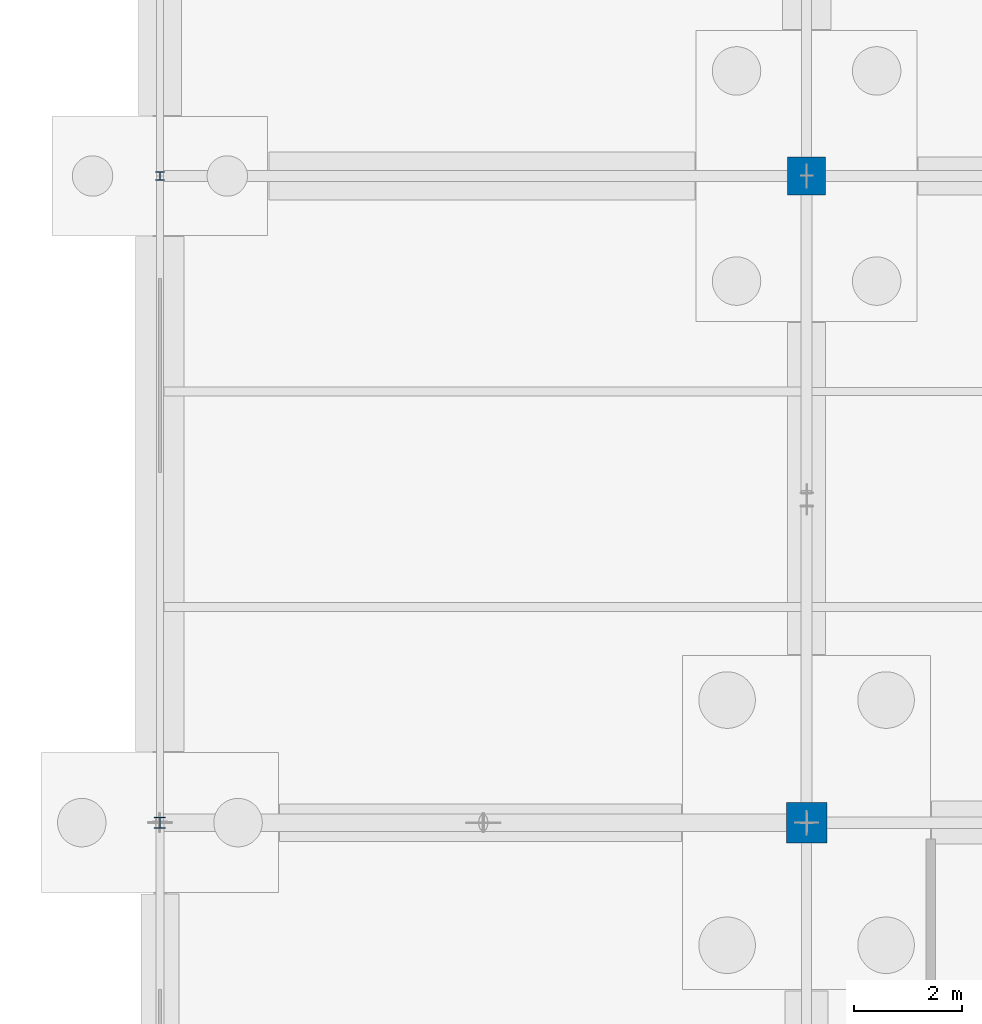
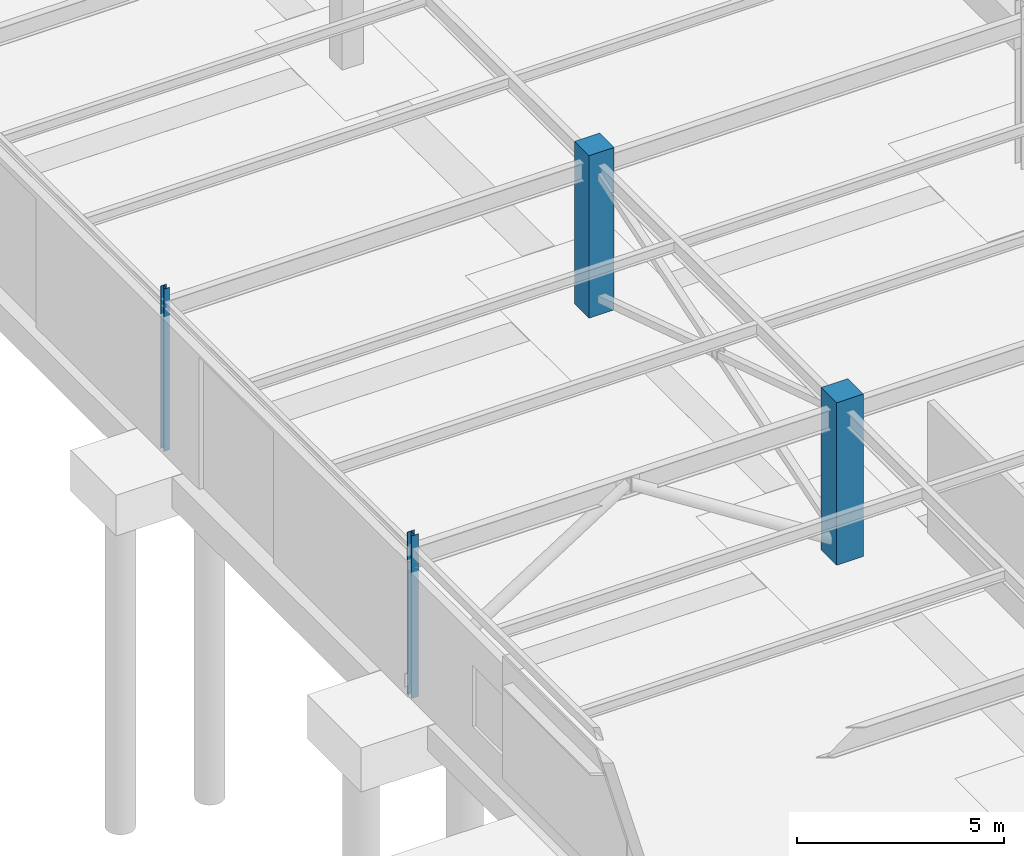
# One storey, part 16 of 136: 4 columns.
"""IFC4 building model written with IfcOpenShell, lengths in metres."""

from ifc_helpers import new_model, si_unit, direction, frame, origin, origin_2d, place, context, subcontext, project, spatial, rectangle, i_section, extrude, material, material_profile, profile_set, type_object, element, save


model = new_model("IFC4")

# Units and contexts
model_context = context("Model", 3, precision=1e-05, world=origin(), true_north=direction((0.0, 1.0)))
body_context = subcontext(model_context, "Body", "Model", "MODEL_VIEW")
ifc_project = project(units=[si_unit("LENGTHUNIT", "METRE"), si_unit("AREAUNIT", "SQUARE_METRE"), si_unit("VOLUMEUNIT", "CUBIC_METRE"), si_unit("PLANEANGLEUNIT", "RADIAN"), si_unit("MASSUNIT", "GRAM", prefix="KILO")], contexts=[model_context])

# Site, building, storey
site_placement = place(None, origin())
site = spatial("IfcSite", under=ifc_project, at=site_placement, CompositionType="ELEMENT")
building_placement = place(site_placement, origin())
building = spatial("IfcBuilding", under=site, at=building_placement, Name="Tarnwether General Hospital", CompositionType="ELEMENT")
storey_placement = place(building_placement, frame((0.0, 0.0, -4.800048828125)))
storey = spatial("IfcBuildingStorey", under=building, at=storey_placement, Name="LG", CompositionType="ELEMENT", Elevation=-4.800048828125)

# Columns
ifc_material_1 = material(Name="Concrete 50 MPa", Category="concrete")
ifc_material_profile_1 = material_profile(ifc_material_1, rectangle(XDim=0.75, YDim=0.75, at=origin_2d()), Name="RC-COL-750x750")
ifc_profile_set_1 = profile_set([ifc_material_profile_1], Name="Concrete 50 MPa")
column_type_1 = type_object("IfcColumnType", Name="COL-17", PredefinedType="COLUMN", material=ifc_profile_set_1)
column_1_placement = place(storey_placement, frame((12.0, 45.60009765625, 0.0), z_axis=(0.0, 0.0, 1.0), x_axis=(0.0, 1.0, 0.0)))
element("IfcColumn", 1, at=column_1_placement, inside=storey, type_object=column_type_1, Name="Column COLG-LG-1200_4560", PredefinedType="COLUMN", context=body_context, shape_type="SweptSolid", body=[
    extrude(rectangle(XDim=0.75, YDim=0.75, at=origin_2d()), origin(), (0.0, 0.0, 1.0), 4.800048828125),
])
ifc_material_2 = material(Name="Concrete 50 MPa", Category="concrete")
ifc_material_profile_2 = material_profile(ifc_material_2, rectangle(XDim=0.699951171875, YDim=0.699951171875, at=origin_2d()), Name="RC-COL-700x700")
ifc_profile_set_2 = profile_set([ifc_material_profile_2], Name="Concrete 50 MPa")
column_type_2 = type_object("IfcColumnType", Name="COL-18", PredefinedType="COLUMN", material=ifc_profile_set_2)
column_2_placement = place(storey_placement, frame((12.0, 57.60009765625, 0.0), z_axis=(0.0, 0.0, 1.0), x_axis=(0.0, 1.0, 0.0)))
element("IfcColumn", 2, at=column_2_placement, inside=storey, type_object=column_type_2, Name="Column COLG-LG-1200_5760", PredefinedType="COLUMN", context=body_context, shape_type="SweptSolid", body=[
    extrude(rectangle(XDim=0.699951171875, YDim=0.699951171875, at=origin_2d()), origin(), (0.0, 0.0, 1.0), 4.800048828125),
])
ifc_material_3 = material(Name="Steel Grade 350 (350 MPa)", Category="steel")
ifc_material_profile_3 = material_profile(ifc_material_3, i_section(OverallWidth=0.202880859375, OverallDepth=0.202880859375, WebThickness=0.00732421875, FlangeThickness=0.010986328125, at=origin_2d()), Name="200UC46.2")
ifc_profile_set_3 = profile_set([ifc_material_profile_3], Name="Steel Grade 350 (350 MPa)")
column_type_3 = type_object("IfcColumnType", Name="COL-27", PredefinedType="COLUMN", material=ifc_profile_set_3)
column_3_placement = place(storey_placement, frame((0.0, 45.60009765625, 0.0), z_axis=(0.0, 0.0, 1.0), x_axis=(1.0, 0.0, 0.0)))
element("IfcColumn", 3, at=column_3_placement, inside=storey, type_object=column_type_3, Name="Column COLG-LG-0_4560", PredefinedType="COLUMN", context=body_context, shape_type="SweptSolid", body=[
    extrude(i_section(OverallWidth=0.202880859375, OverallDepth=0.202880859375, WebThickness=0.00732421875, FlangeThickness=0.010986328125, at=origin_2d()), origin(), (0.0, 0.0, 1.0), 4.800048828125),
])
ifc_material_4 = material(Name="Steel Grade 350 (350 MPa)", Category="steel")
ifc_material_profile_4 = material_profile(ifc_material_4, i_section(OverallWidth=0.154052734375, OverallDepth=0.162109375, WebThickness=0.008056640625, FlangeThickness=0.011474609375, at=origin_2d()), Name="150UC37.2")
ifc_profile_set_4 = profile_set([ifc_material_profile_4], Name="Steel Grade 350 (350 MPa)")
column_type_4 = type_object("IfcColumnType", Name="COL-28", PredefinedType="COLUMN", material=ifc_profile_set_4)
column_4_placement = place(storey_placement, frame((0.0, 57.60009765625, 0.0), z_axis=(0.0, 0.0, 1.0), x_axis=(1.0, 0.0, 0.0)))
element("IfcColumn", 4, at=column_4_placement, inside=storey, type_object=column_type_4, Name="Column COLG-LG-0_5760", PredefinedType="COLUMN", context=body_context, shape_type="SweptSolid", body=[
    extrude(i_section(OverallWidth=0.154052734375, OverallDepth=0.162109375, WebThickness=0.008056640625, FlangeThickness=0.011474609375, at=origin_2d()), origin(), (0.0, 0.0, 1.0), 4.800048828125),
])

save(model, "model.ifc")
